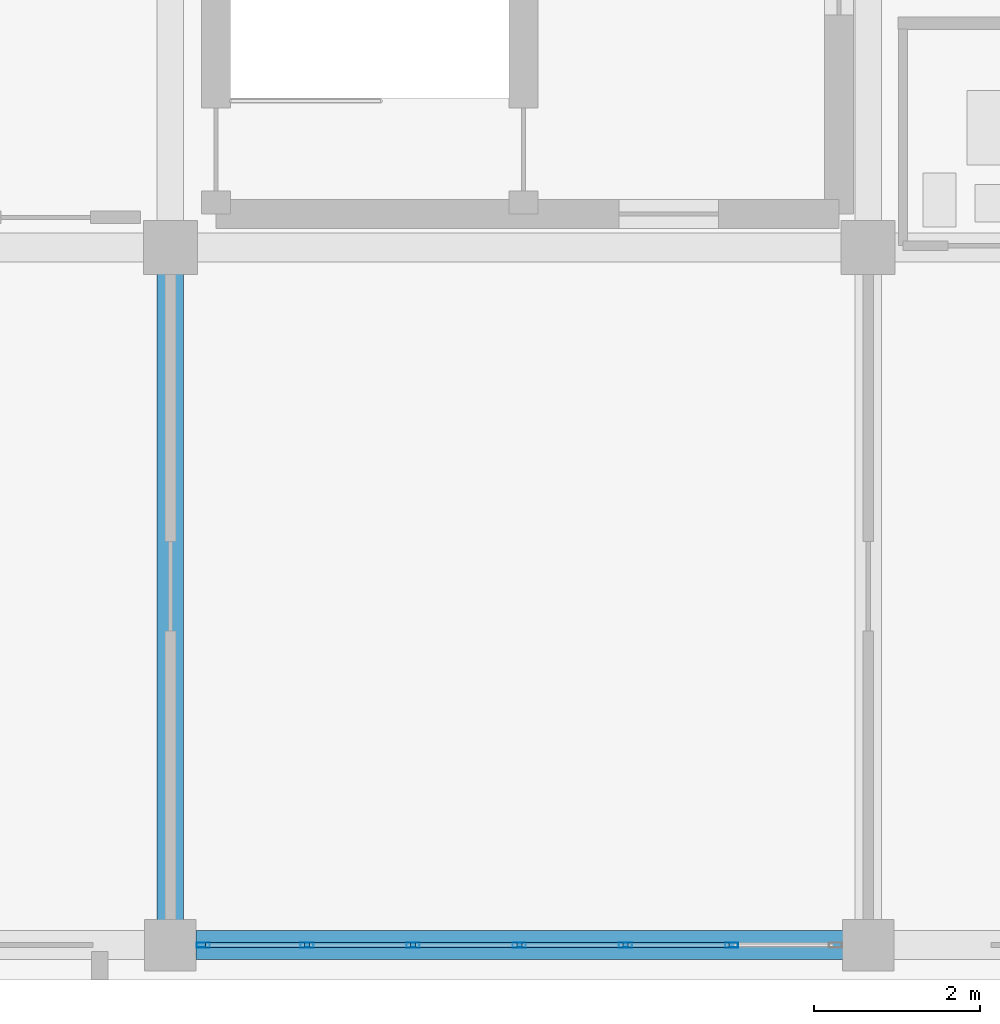
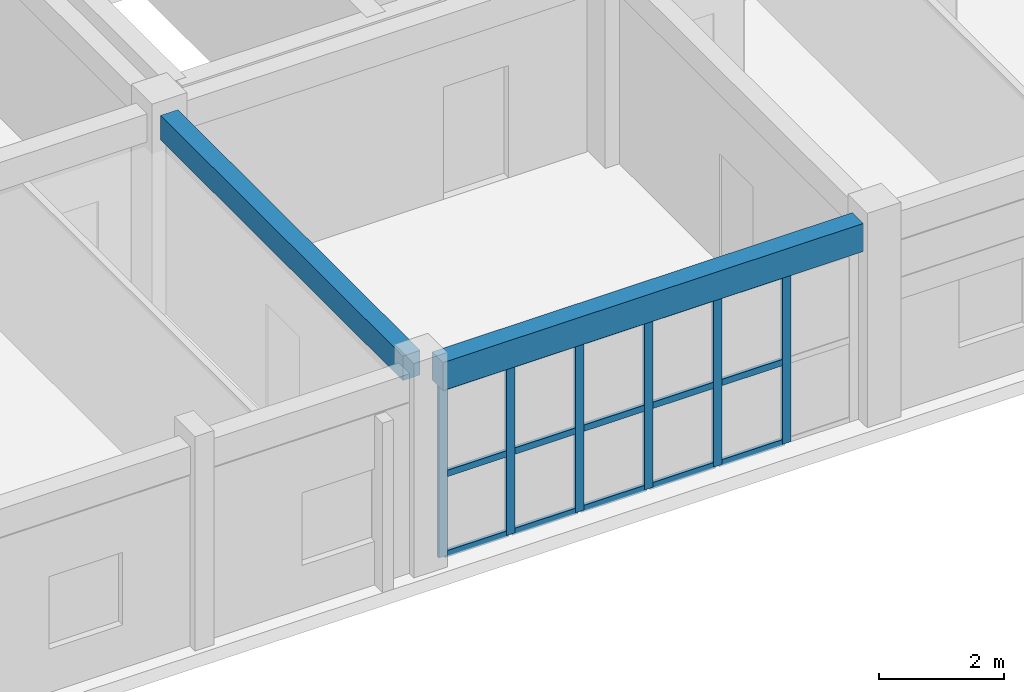
# One storey, part 10 of 81: 21 members, 2 beams, 1 element without a shape of its own.
"""IFC4 building model written with IfcOpenShell, lengths in metres."""

from ifc_helpers import new_model, si_unit, direction, frame, origin, origin_2d, place, context, subcontext, project, spatial, rectangle, hollow_rectangle, extrude, material, layer, layer_set, material_profile, profile_set, type_object, element, aggregate, save


model = new_model("IFC4")

# Units and contexts
model_context = context("Model", 3, precision=1e-05, world=origin(), true_north=direction((0.0, 1.0)))
body_context = subcontext(model_context, "Body", "Model", "MODEL_VIEW")
ifc_project = project(units=[si_unit("LENGTHUNIT", "METRE"), si_unit("AREAUNIT", "SQUARE_METRE"), si_unit("VOLUMEUNIT", "CUBIC_METRE"), si_unit("PLANEANGLEUNIT", "RADIAN"), si_unit("MASSUNIT", "GRAM", prefix="KILO")], contexts=[model_context])

# Site, building, storey
site_placement = place(None, origin())
site = spatial("IfcSite", under=ifc_project, at=site_placement, CompositionType="ELEMENT")
building_placement = place(site_placement, origin())
building = spatial("IfcBuilding", under=site, at=building_placement, Name="Trelvath General Hospital", CompositionType="ELEMENT")
storey_placement = place(building_placement, frame((0.0, 0.0, 24.60009765625)))
storey = spatial("IfcBuildingStorey", under=building, at=storey_placement, Name="L06", CompositionType="ELEMENT", Elevation=24.60009765625)

# Beams
ifc_material_1 = material(Name="Concrete C35/45", Category="concrete")
ifc_material_profile_1 = material_profile(ifc_material_1, rectangle(XDim=0.320068359375, YDim=0.47998046875, at=origin_2d()), Name="RCB320x480")
ifc_profile_set_1 = profile_set([ifc_material_profile_1], Name="Concrete C35/45")
beam_type_1 = type_object("IfcBeamType", Name="Beam RC320x480", PredefinedType="BEAM", material=ifc_profile_set_1)
beam_1_placement = place(storey_placement, frame((42.0, 0.304931640625, 3.679931640625), z_axis=(0.0, 1.0, 0.0), x_axis=(-1.0, 0.0, 0.0)))
element("IfcBeam", 1, at=beam_1_placement, inside=storey, type_object=beam_type_1, Name="Grid Beam BY-605A", PredefinedType="BEAM", context=body_context, shape_type="SweptSolid", body=[
    extrude(rectangle(XDim=0.320068359375, YDim=0.47998046875, at=origin_2d()), origin(), (0.0, 0.0, 1.0), 7.775146484375),
])
ifc_material_2 = material(Name="Concrete C35/45", Category="concrete")
ifc_material_profile_2 = material_profile(ifc_material_2, rectangle(XDim=0.35009765625, YDim=0.550048828125, at=origin_2d()), Name="RCB350x550")
ifc_profile_set_2 = profile_set([ifc_material_profile_2], Name="Concrete C35/45")
beam_type_2 = type_object("IfcBeamType", Name="Beam RC350x550", PredefinedType="BEAM", material=ifc_profile_set_2)
beam_2_placement = place(storey_placement, frame((42.304931640625, 0.0, 3.64501953125), z_axis=(1.0, 0.0, 0.0), x_axis=(0.0, 1.0, 0.0)))
element("IfcBeam", 2, at=beam_2_placement, inside=storey, type_object=beam_type_2, Name="Grid Beam BX-605A", PredefinedType="BEAM", context=body_context, shape_type="SweptSolid", body=[
    extrude(rectangle(XDim=0.35009765625, YDim=0.550048828125, at=origin_2d()), origin(), (0.0, 0.0, 1.0), 7.7900390625),
])

# Curtain wall, members
ifc_material_3 = material(Name="Anodised aluminium and low-E glass", Category="aluminium")
ifc_layer = layer(ifc_material_3, 0.14990234375)
ifc_layer_set = layer_set([ifc_layer], Name="Anodised aluminium and low-E glass")
curtain_wall_type = type_object("IfcCurtainWallType", Name="CW Facade 767 334 15", PredefinedType="USERDEFINED", material=ifc_layer_set)
curtain_wall_placement = place(storey_placement, origin())
curtain_wall = element("IfcCurtainWall", 3, at=curtain_wall_placement, inside=storey, type_object=curtain_wall_type, Name="Facade Curtain Wall CW-076", ObjectType="Unitised Glazed Curtain Wall", PredefinedType="USERDEFINED")
ifc_material_4 = material(Name="Anodised aluminium", Category="aluminium")
ifc_material_profile_3 = material_profile(ifc_material_4, hollow_rectangle(XDim=0.06005859375, YDim=0.159912109375, WallThickness=0.00390625, at=origin_2d()), Name="RHS60x160x4")
ifc_profile_set_3 = profile_set([ifc_material_profile_3], Name="Anodised aluminium")
member_type_1 = type_object("IfcMemberType", Name="CurtainMullion 60x160", PredefinedType="MULLION", material=ifc_profile_set_3)
member_1_placement = place(storey_placement, frame((48.756591796875, 0.0, 0.0), z_axis=(0.0, 0.0, 1.0), x_axis=(0.0, -1.0, 0.0)))
member_1 = element("IfcMember", 4, at=member_1_placement, type_object=member_type_1, Name="CW-076 mullion 2", PredefinedType="MULLION", context=body_context, shape_type="SweptSolid", body=[
    extrude(hollow_rectangle(XDim=0.06005859375, YDim=0.159912109375, WallThickness=0.00390625, at=origin_2d()), origin(), (0.0, 0.0, 1.0), 3.33984375),
])
member_2_placement = place(storey_placement, frame((47.478271484375, 0.0, 0.0), z_axis=(0.0, 0.0, 1.0), x_axis=(0.0, -1.0, 0.0)))
member_2 = element("IfcMember", 5, at=member_2_placement, type_object=member_type_1, Name="CW-076 mullion 3", PredefinedType="MULLION", context=body_context, shape_type="SweptSolid", body=[
    extrude(hollow_rectangle(XDim=0.06005859375, YDim=0.159912109375, WallThickness=0.00390625, at=origin_2d()), origin(), (0.0, 0.0, 1.0), 3.33984375),
])
member_3_placement = place(storey_placement, frame((46.199951171875, 0.0, 0.0), z_axis=(0.0, 0.0, 1.0), x_axis=(0.0, -1.0, 0.0)))
member_3 = element("IfcMember", 6, at=member_3_placement, type_object=member_type_1, Name="CW-076 mullion 4", PredefinedType="MULLION", context=body_context, shape_type="SweptSolid", body=[
    extrude(hollow_rectangle(XDim=0.06005859375, YDim=0.159912109375, WallThickness=0.00390625, at=origin_2d()), origin(), (0.0, 0.0, 1.0), 3.33984375),
])
member_4_placement = place(storey_placement, frame((44.921630859375, 0.0, 0.0), z_axis=(0.0, 0.0, 1.0), x_axis=(0.0, -1.0, 0.0)))
member_4 = element("IfcMember", 7, at=member_4_placement, type_object=member_type_1, Name="CW-076 mullion 5", PredefinedType="MULLION", context=body_context, shape_type="SweptSolid", body=[
    extrude(hollow_rectangle(XDim=0.06005859375, YDim=0.159912109375, WallThickness=0.00390625, at=origin_2d()), origin(), (0.0, 0.0, 1.0), 3.33984375),
])
member_5_placement = place(storey_placement, frame((43.643310546875, 0.0, 0.0), z_axis=(0.0, 0.0, 1.0), x_axis=(0.0, -1.0, 0.0)))
member_5 = element("IfcMember", 8, at=member_5_placement, type_object=member_type_1, Name="CW-076 mullion 6", PredefinedType="MULLION", context=body_context, shape_type="SweptSolid", body=[
    extrude(hollow_rectangle(XDim=0.06005859375, YDim=0.159912109375, WallThickness=0.00390625, at=origin_2d()), origin(), (0.0, 0.0, 1.0), 3.33984375),
])
member_6_placement = place(storey_placement, frame((42.39501953125, 0.0, 0.0), z_axis=(0.0, 0.0, 1.0), x_axis=(0.0, -1.0, 0.0)))
member_6 = element("IfcMember", 9, at=member_6_placement, type_object=member_type_1, Name="CW-076 mullion 7", PredefinedType="MULLION", context=body_context, shape_type="SweptSolid", body=[
    extrude(hollow_rectangle(XDim=0.06005859375, YDim=0.159912109375, WallThickness=0.00390625, at=origin_2d()), origin(), (0.0, 0.0, 1.0), 3.33984375),
])
ifc_material_5 = material(Name="Anodised aluminium", Category="aluminium")
ifc_material_profile_4 = material_profile(ifc_material_5, hollow_rectangle(XDim=0.06005859375, YDim=0.125, WallThickness=0.00390625, at=origin_2d()), Name="RHS60x125x4")
ifc_profile_set_4 = profile_set([ifc_material_profile_4], Name="Anodised aluminium")
member_type_2 = type_object("IfcMemberType", Name="CurtainTransom 60x125", PredefinedType="USERDEFINED", material=ifc_profile_set_4)
member_7_placement = place(storey_placement, frame((48.7265625, 0.0, 0.02978515625), z_axis=(-1.0, 0.0, 0.0), x_axis=(0.0, -1.0, 0.0)))
member_7 = element("IfcMember", 10, at=member_7_placement, type_object=member_type_2, Name="CW-076 transom 2.1", ObjectType="TRANSOM", PredefinedType="USERDEFINED", context=body_context, shape_type="SweptSolid", body=[
    extrude(hollow_rectangle(XDim=0.06005859375, YDim=0.125, WallThickness=0.00390625, at=origin_2d()), origin(), (0.0, 0.0, 1.0), 1.21826171875),
])
member_8_placement = place(storey_placement, frame((48.7265625, 0.0, 1.602783203125), z_axis=(-1.0, 0.0, 0.0), x_axis=(0.0, -1.0, 0.0)))
member_8 = element("IfcMember", 11, at=member_8_placement, type_object=member_type_2, Name="CW-076 transom 2.2", ObjectType="TRANSOM", PredefinedType="USERDEFINED", context=body_context, shape_type="SweptSolid", body=[
    extrude(hollow_rectangle(XDim=0.06005859375, YDim=0.125, WallThickness=0.00390625, at=origin_2d()), origin(), (0.0, 0.0, 1.0), 1.21826171875),
])
member_9_placement = place(storey_placement, frame((48.7265625, 0.0, 3.309814453125), z_axis=(-1.0, 0.0, 0.0), x_axis=(0.0, -1.0, 0.0)))
member_9 = element("IfcMember", 12, at=member_9_placement, type_object=member_type_2, Name="CW-076 transom 2.3", ObjectType="TRANSOM", PredefinedType="USERDEFINED", context=body_context, shape_type="SweptSolid", body=[
    extrude(hollow_rectangle(XDim=0.06005859375, YDim=0.125, WallThickness=0.00390625, at=origin_2d()), origin(), (0.0, 0.0, 1.0), 1.21826171875),
])
member_10_placement = place(storey_placement, frame((47.4482421875, 0.0, 0.02978515625), z_axis=(-1.0, 0.0, 0.0), x_axis=(0.0, -1.0, 0.0)))
member_10 = element("IfcMember", 13, at=member_10_placement, type_object=member_type_2, Name="CW-076 transom 3.1", ObjectType="TRANSOM", PredefinedType="USERDEFINED", context=body_context, shape_type="SweptSolid", body=[
    extrude(hollow_rectangle(XDim=0.06005859375, YDim=0.125, WallThickness=0.00390625, at=origin_2d()), origin(), (0.0, 0.0, 1.0), 1.21826171875),
])
member_11_placement = place(storey_placement, frame((47.4482421875, 0.0, 1.602783203125), z_axis=(-1.0, 0.0, 0.0), x_axis=(0.0, -1.0, 0.0)))
member_11 = element("IfcMember", 14, at=member_11_placement, type_object=member_type_2, Name="CW-076 transom 3.2", ObjectType="TRANSOM", PredefinedType="USERDEFINED", context=body_context, shape_type="SweptSolid", body=[
    extrude(hollow_rectangle(XDim=0.06005859375, YDim=0.125, WallThickness=0.00390625, at=origin_2d()), origin(), (0.0, 0.0, 1.0), 1.21826171875),
])
member_12_placement = place(storey_placement, frame((47.4482421875, 0.0, 3.309814453125), z_axis=(-1.0, 0.0, 0.0), x_axis=(0.0, -1.0, 0.0)))
member_12 = element("IfcMember", 15, at=member_12_placement, type_object=member_type_2, Name="CW-076 transom 3.3", ObjectType="TRANSOM", PredefinedType="USERDEFINED", context=body_context, shape_type="SweptSolid", body=[
    extrude(hollow_rectangle(XDim=0.06005859375, YDim=0.125, WallThickness=0.00390625, at=origin_2d()), origin(), (0.0, 0.0, 1.0), 1.21826171875),
])
member_13_placement = place(storey_placement, frame((46.169921875, 0.0, 0.02978515625), z_axis=(-1.0, 0.0, 0.0), x_axis=(0.0, -1.0, 0.0)))
member_13 = element("IfcMember", 16, at=member_13_placement, type_object=member_type_2, Name="CW-076 transom 4.1", ObjectType="TRANSOM", PredefinedType="USERDEFINED", context=body_context, shape_type="SweptSolid", body=[
    extrude(hollow_rectangle(XDim=0.06005859375, YDim=0.125, WallThickness=0.00390625, at=origin_2d()), origin(), (0.0, 0.0, 1.0), 1.21826171875),
])
member_14_placement = place(storey_placement, frame((46.169921875, 0.0, 1.602783203125), z_axis=(-1.0, 0.0, 0.0), x_axis=(0.0, -1.0, 0.0)))
member_14 = element("IfcMember", 17, at=member_14_placement, type_object=member_type_2, Name="CW-076 transom 4.2", ObjectType="TRANSOM", PredefinedType="USERDEFINED", context=body_context, shape_type="SweptSolid", body=[
    extrude(hollow_rectangle(XDim=0.06005859375, YDim=0.125, WallThickness=0.00390625, at=origin_2d()), origin(), (0.0, 0.0, 1.0), 1.21826171875),
])
member_15_placement = place(storey_placement, frame((46.169921875, 0.0, 3.309814453125), z_axis=(-1.0, 0.0, 0.0), x_axis=(0.0, -1.0, 0.0)))
member_15 = element("IfcMember", 18, at=member_15_placement, type_object=member_type_2, Name="CW-076 transom 4.3", ObjectType="TRANSOM", PredefinedType="USERDEFINED", context=body_context, shape_type="SweptSolid", body=[
    extrude(hollow_rectangle(XDim=0.06005859375, YDim=0.125, WallThickness=0.00390625, at=origin_2d()), origin(), (0.0, 0.0, 1.0), 1.21826171875),
])
member_16_placement = place(storey_placement, frame((44.8916015625, 0.0, 0.02978515625), z_axis=(-1.0, 0.0, 0.0), x_axis=(0.0, -1.0, 0.0)))
member_16 = element("IfcMember", 19, at=member_16_placement, type_object=member_type_2, Name="CW-076 transom 5.1", ObjectType="TRANSOM", PredefinedType="USERDEFINED", context=body_context, shape_type="SweptSolid", body=[
    extrude(hollow_rectangle(XDim=0.06005859375, YDim=0.125, WallThickness=0.00390625, at=origin_2d()), origin(), (0.0, 0.0, 1.0), 1.21826171875),
])
member_17_placement = place(storey_placement, frame((44.8916015625, 0.0, 1.602783203125), z_axis=(-1.0, 0.0, 0.0), x_axis=(0.0, -1.0, 0.0)))
member_17 = element("IfcMember", 20, at=member_17_placement, type_object=member_type_2, Name="CW-076 transom 5.2", ObjectType="TRANSOM", PredefinedType="USERDEFINED", context=body_context, shape_type="SweptSolid", body=[
    extrude(hollow_rectangle(XDim=0.06005859375, YDim=0.125, WallThickness=0.00390625, at=origin_2d()), origin(), (0.0, 0.0, 1.0), 1.21826171875),
])
member_18_placement = place(storey_placement, frame((44.8916015625, 0.0, 3.309814453125), z_axis=(-1.0, 0.0, 0.0), x_axis=(0.0, -1.0, 0.0)))
member_18 = element("IfcMember", 21, at=member_18_placement, type_object=member_type_2, Name="CW-076 transom 5.3", ObjectType="TRANSOM", PredefinedType="USERDEFINED", context=body_context, shape_type="SweptSolid", body=[
    extrude(hollow_rectangle(XDim=0.06005859375, YDim=0.125, WallThickness=0.00390625, at=origin_2d()), origin(), (0.0, 0.0, 1.0), 1.21826171875),
])
member_19_placement = place(storey_placement, frame((43.61328125, 0.0, 0.02978515625), z_axis=(-1.0, 0.0, 0.0), x_axis=(0.0, -1.0, 0.0)))
member_19 = element("IfcMember", 22, at=member_19_placement, type_object=member_type_2, Name="CW-076 transom 6.1", ObjectType="TRANSOM", PredefinedType="USERDEFINED", context=body_context, shape_type="SweptSolid", body=[
    extrude(hollow_rectangle(XDim=0.06005859375, YDim=0.125, WallThickness=0.00390625, at=origin_2d()), origin(), (0.0, 0.0, 1.0), 1.188232421875),
])
member_20_placement = place(storey_placement, frame((43.61328125, 0.0, 1.602783203125), z_axis=(-1.0, 0.0, 0.0), x_axis=(0.0, -1.0, 0.0)))
member_20 = element("IfcMember", 23, at=member_20_placement, type_object=member_type_2, Name="CW-076 transom 6.2", ObjectType="TRANSOM", PredefinedType="USERDEFINED", context=body_context, shape_type="SweptSolid", body=[
    extrude(hollow_rectangle(XDim=0.06005859375, YDim=0.125, WallThickness=0.00390625, at=origin_2d()), origin(), (0.0, 0.0, 1.0), 1.188232421875),
])
member_21_placement = place(storey_placement, frame((43.61328125, 0.0, 3.309814453125), z_axis=(-1.0, 0.0, 0.0), x_axis=(0.0, -1.0, 0.0)))
member_21 = element("IfcMember", 24, at=member_21_placement, type_object=member_type_2, Name="CW-076 transom 6.3", ObjectType="TRANSOM", PredefinedType="USERDEFINED", context=body_context, shape_type="SweptSolid", body=[
    extrude(hollow_rectangle(XDim=0.06005859375, YDim=0.125, WallThickness=0.00390625, at=origin_2d()), origin(), (0.0, 0.0, 1.0), 1.188232421875),
])
aggregate(curtain_wall, [member_1, member_2, member_3, member_4, member_5, member_6, member_7, member_8, member_9, member_10, member_11, member_12, member_13, member_14, member_15, member_16, member_17, member_18, member_19, member_20, member_21])

save(model, "model.ifc")
